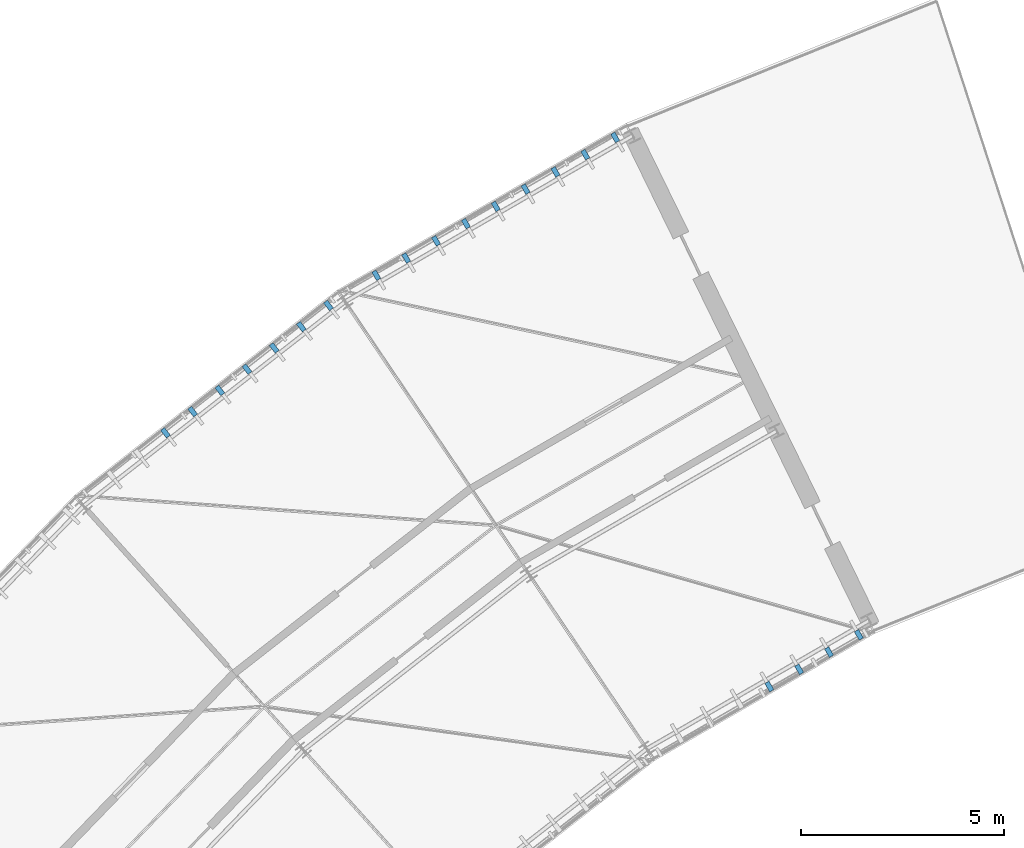
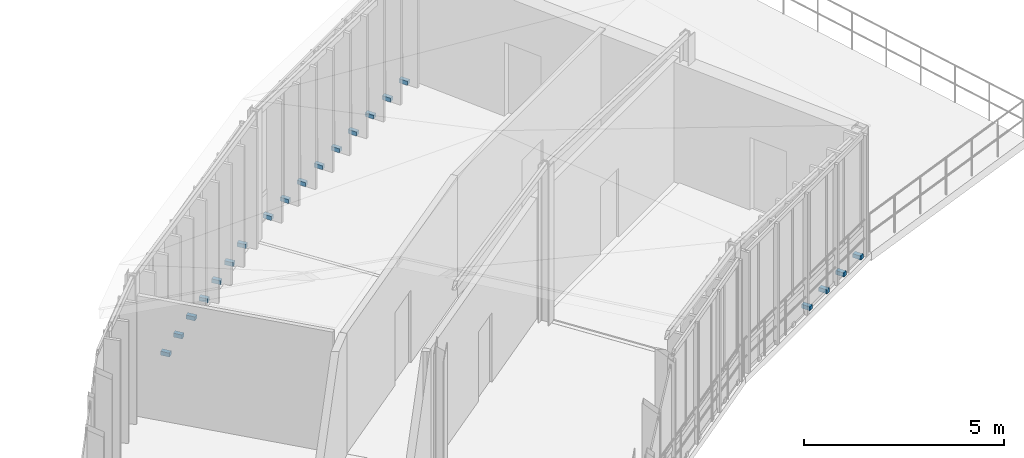
# One storey, part 21 of 25: 20 discrete accessories.
"""IFC4 building model written with IfcOpenShell, lengths in metres."""

from ifc_helpers import new_model, si_unit, direction, frame, origin, origin_2d, place, context, subcontext, project, spatial, rectangle, extrude, material, type_object, element, save


model = new_model("IFC4")

# Units and contexts
model_context = context("Model", 3, precision=1e-05, world=origin(), true_north=direction((0.0, 1.0)))
body_context = subcontext(model_context, "Body", "Model", "MODEL_VIEW")
ifc_project = project(units=[si_unit("LENGTHUNIT", "METRE"), si_unit("AREAUNIT", "SQUARE_METRE"), si_unit("VOLUMEUNIT", "CUBIC_METRE"), si_unit("PLANEANGLEUNIT", "RADIAN"), si_unit("MASSUNIT", "GRAM", prefix="KILO"), si_unit("THERMODYNAMICTEMPERATUREUNIT", "KELVIN"), si_unit("POWERUNIT", "WATT")], contexts=[model_context])

# Site, building, storey
site_placement = place(None, origin())
site = spatial("IfcSite", under=ifc_project, at=site_placement, CompositionType="ELEMENT")
building_placement = place(site_placement, origin())
building = spatial("IfcBuilding", under=site, at=building_placement, Name="Solvatero Civic Police Headquarters", CompositionType="ELEMENT")
storey_placement = place(building_placement, frame((0.0, 0.0, 25.5)))
storey = spatial("IfcBuildingStorey", under=building, at=storey_placement, Name="L06", CompositionType="ELEMENT", Elevation=25.5)

# Discrete accessories
ifc_material = material(Name="Steel S355", Category="steel")
discrete_accessory_type = type_object("IfcDiscreteAccessoryType", Name="ACC-BRK-FIN", PredefinedType="BRACKET", material=ifc_material)
for number, where, z_axis, x_axis, name in (
    (1, (67.862060546875, 78.674560546875, 0.0), (0.0, 0.0, 1.0), (-0.866025403784, -0.5, 0.0), "Slab-Edge Fin Bracket 1218"),
    (2, (67.1259765625, 78.24951171875, 0.0), (0.0, 0.0, 1.0), (-0.866025403784, -0.5, 0.0), "Slab-Edge Fin Bracket 1219"),
    (3, (66.389892578125, 77.82470703125, 0.0), (0.0, 0.0, 1.0), (-0.866025403784, -0.5, 0.0), "Slab-Edge Fin Bracket 1220"),
    (4, (65.653564453125, 77.399658203125, 0.0), (0.0, 0.0, 1.0), (-0.866025403784, -0.5, 0.0), "Slab-Edge Fin Bracket 1221"),
    (5, (64.91748046875, 76.974609375, 0.0), (0.0, 0.0, 1.0), (-0.866025403784, -0.5, 0.0), "Slab-Edge Fin Bracket 1222"),
    (6, (64.181396484375, 76.549560546875, 0.0), (0.0, 0.0, 1.0), (-0.866025403784, -0.5, 0.0), "Slab-Edge Fin Bracket 1223"),
    (7, (63.4453125, 76.12451171875, 0.0), (0.0, 0.0, 1.0), (-0.866025403784, -0.5, 0.0), "Slab-Edge Fin Bracket 1224"),
    (8, (62.709228515625, 75.69970703125, 0.0), (0.0, 0.0, 1.0), (-0.866025403784, -0.5, 0.0), "Slab-Edge Fin Bracket 1225"),
    (9, (61.972900390625, 75.274658203125, 0.0), (0.0, 0.0, 1.0), (-0.866025403784, -0.5, 0.0), "Slab-Edge Fin Bracket 1226"),
    (10, (73.871826171875, 66.409912109375, 0.0), (0.0, 0.0, 1.0), (-0.866025403784, -0.5, 0.0), "Slab-Edge Fin Bracket 1227"),
    (11, (73.1357421875, 65.985107421875, 0.0), (0.0, 0.0, 1.0), (-0.866025403784, -0.5, 0.0), "Slab-Edge Fin Bracket 1228"),
    (12, (72.399658203125, 65.56005859375, 0.0), (0.0, 0.0, 1.0), (-0.866025403784, -0.5, 0.0), "Slab-Edge Fin Bracket 1229"),
    (13, (71.66357421875, 65.135009765625, 0.0), (0.0, 0.0, 1.0), (-0.866025403784, -0.5, 0.0), "Slab-Edge Fin Bracket 1230"),
    (14, (60.79345703125, 74.530517578125, 0.0), (0.0, 0.0, 1.0), (-0.788010753607, -0.615661475326, 0.0), "Slab-Edge Fin Bracket 1234"),
    (15, (60.12353515625, 74.007080078125, 0.0), (0.0, 0.0, 1.0), (-0.788010753607, -0.615661475326, 0.0), "Slab-Edge Fin Bracket 1235"),
    (16, (59.453857421875, 73.48388671875, 0.0), (0.0, 0.0, 1.0), (-0.788010753607, -0.615661475326, 0.0), "Slab-Edge Fin Bracket 1236"),
    (17, (58.783935546875, 72.96044921875, 0.0), (0.0, 0.0, 1.0), (-0.788010753607, -0.615661475326, 0.0), "Slab-Edge Fin Bracket 1237"),
    (18, (58.114013671875, 72.437255859375, 0.0), (0.0, 0.0, 1.0), (-0.788010753607, -0.615661475326, 0.0), "Slab-Edge Fin Bracket 1238"),
    (19, (57.4443359375, 71.913818359375, 0.0), (0.0, 0.0, 1.0), (-0.788010753607, -0.615661475326, 0.0), "Slab-Edge Fin Bracket 1239"),
    (20, (56.7744140625, 71.390625, 0.0), (0.0, 0.0, 1.0), (-0.788010753607, -0.615661475326, 0.0), "Slab-Edge Fin Bracket 1240"),
):
    element("IfcDiscreteAccessory", number, at=place(storey_placement, frame(where, z_axis=z_axis, x_axis=x_axis)), inside=storey, type_object=discrete_accessory_type, Name=name, PredefinedType="BRACKET", context=body_context, shape_type="SweptSolid", body=[
        extrude(rectangle(XDim=0.1201171875, YDim=0.239990234375, at=origin_2d()), origin(), (0.0, 0.0, 1.0), 0.1201171875),
    ])

save(model, "model.ifc")
